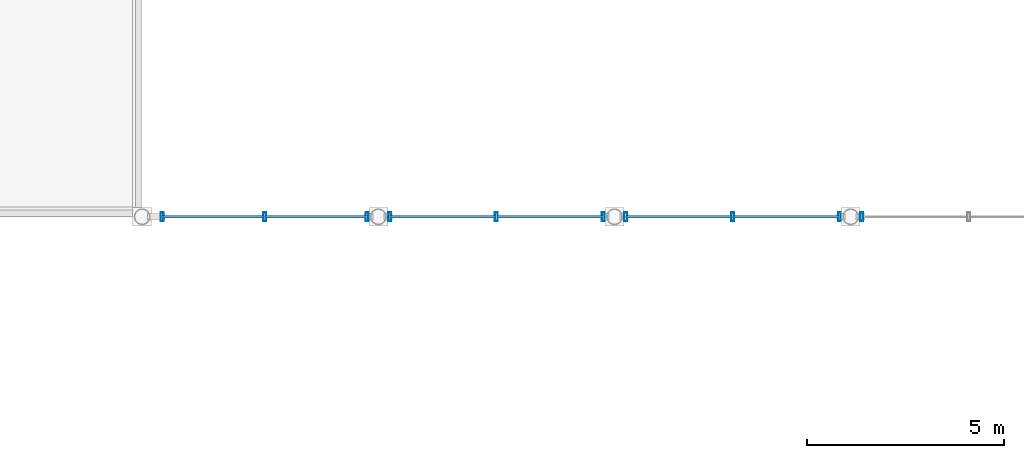
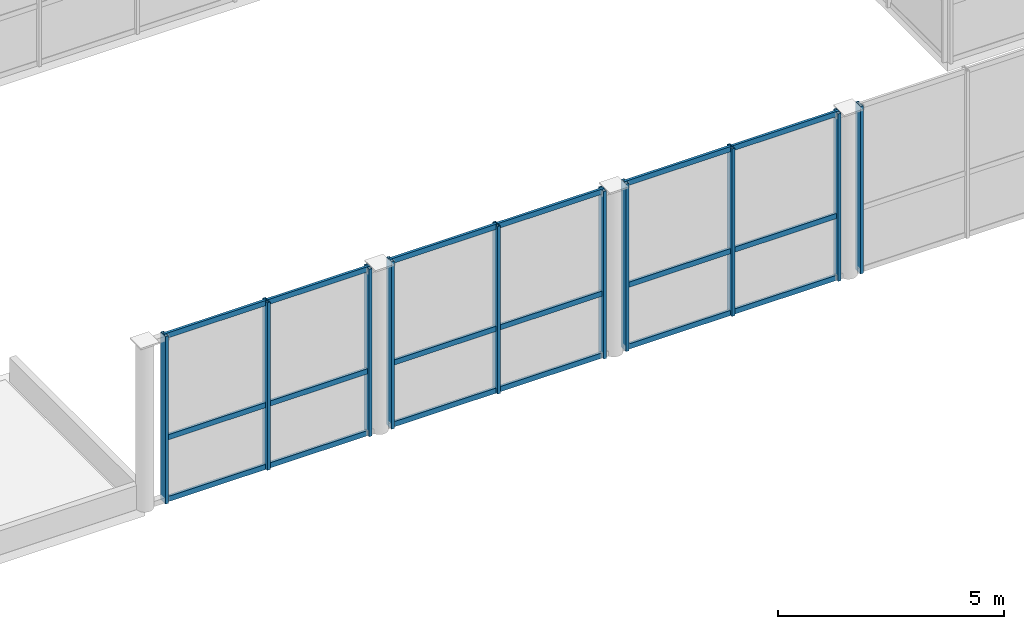
# One storey, part 23 of 133: 28 members, 4 elements without a shape of their own.
"""IFC4 building model written with IfcOpenShell, lengths in metres."""

from ifc_helpers import new_model, si_unit, direction, frame, origin, origin_2d, place, context, subcontext, project, spatial, hollow_rectangle, extrude, material, material_profile, profile_set, type_object, element, aggregate, save


model = new_model("IFC4")

# Units and contexts
model_context = context("Model", 3, precision=1e-05, world=origin(), true_north=direction((0.0, 1.0)))
body_context = subcontext(model_context, "Body", "Model", "MODEL_VIEW")
ifc_project = project(units=[si_unit("LENGTHUNIT", "METRE"), si_unit("AREAUNIT", "SQUARE_METRE"), si_unit("VOLUMEUNIT", "CUBIC_METRE"), si_unit("PLANEANGLEUNIT", "RADIAN"), si_unit("MASSUNIT", "GRAM", prefix="KILO"), si_unit("THERMODYNAMICTEMPERATUREUNIT", "KELVIN"), si_unit("POWERUNIT", "WATT")], contexts=[model_context])

# Site, building, storey
site_placement = place(None, origin())
site = spatial("IfcSite", under=ifc_project, at=site_placement, CompositionType="ELEMENT")
building_placement = place(site_placement, origin())
building = spatial("IfcBuilding", under=site, at=building_placement, Name="Phaisarnlok Congress Hotel", CompositionType="ELEMENT")
storey_placement = place(building_placement, frame((0.0, 0.0, 6.0)))
storey = spatial("IfcBuildingStorey", under=building, at=storey_placement, Name="L01", CompositionType="ELEMENT", Elevation=6.0)

# Curtain wall, members
ifc_material_1 = material(Name="Thermally Broken Unitised Aluminium & Low-E Glazing", Category="aluminium")
curtain_wall_type_1 = type_object("IfcCurtainWallType", Name="CW-UNIT-40", PredefinedType="NOTDEFINED", material=ifc_material_1)
curtain_wall_1_placement = place(storey_placement, origin())
curtain_wall_1 = element("IfcCurtainWall", 1, at=curtain_wall_1_placement, inside=storey, type_object=curtain_wall_type_1, Name="Unitised curtain wall CW-40 (L01)", PredefinedType="NOTDEFINED")
ifc_material_2 = material(Name="Anodised Aluminium Alloy 6063-T6", Category="aluminium")
ifc_material_profile_1 = material_profile(ifc_material_2, hollow_rectangle(XDim=0.074951171875, YDim=0.219970703125, WallThickness=0.0048828125, at=origin_2d()), Name="ALU-M 75x220x5")
ifc_profile_set_1 = profile_set([ifc_material_profile_1], Name="Anodised Aluminium Alloy 6063-T6")
member_type_1 = type_object("IfcMemberType", Name="CWM-220", PredefinedType="MULLION", material=ifc_profile_set_1)
member_1_placement = place(storey_placement, frame((66.5048828125, 18.0, -0.02001953125), z_axis=(0.0, 0.0, 1.0), x_axis=(1.0, 0.0, 0.0)))
member_1 = element("IfcMember", 2, at=member_1_placement, type_object=member_type_1, Name="Curtain wall mullion CWM-02", PredefinedType="MULLION", context=body_context, shape_type="SweptSolid", body=[
    extrude(hollow_rectangle(XDim=0.074951171875, YDim=0.219970703125, WallThickness=0.0048828125, at=origin_2d()), origin(), (0.0, 0.0, 1.0), 4.530029296875),
])
member_2_placement = place(storey_placement, frame((69.110107421875, 18.0, -0.02001953125), z_axis=(0.0, 0.0, 1.0), x_axis=(1.0, 0.0, 0.0)))
member_2 = element("IfcMember", 3, at=member_2_placement, type_object=member_type_1, Name="Curtain wall mullion CWM-02", PredefinedType="MULLION", context=body_context, shape_type="SweptSolid", body=[
    extrude(hollow_rectangle(XDim=0.074951171875, YDim=0.219970703125, WallThickness=0.0048828125, at=origin_2d()), origin(), (0.0, 0.0, 1.0), 4.530029296875),
])
member_3_placement = place(storey_placement, frame((71.715087890625, 18.0, -0.02001953125), z_axis=(0.0, 0.0, 1.0), x_axis=(1.0, 0.0, 0.0)))
member_3 = element("IfcMember", 4, at=member_3_placement, type_object=member_type_1, Name="Curtain wall mullion CWM-02", PredefinedType="MULLION", context=body_context, shape_type="SweptSolid", body=[
    extrude(hollow_rectangle(XDim=0.074951171875, YDim=0.219970703125, WallThickness=0.0048828125, at=origin_2d()), origin(), (0.0, 0.0, 1.0), 4.530029296875),
])

curtain_wall_type_2 = type_object("IfcCurtainWallType", Name="CW-UNIT-43", PredefinedType="NOTDEFINED", material=ifc_material_1)
curtain_wall_2_placement = place(storey_placement, origin())
curtain_wall_2 = element("IfcCurtainWall", 5, at=curtain_wall_2_placement, inside=storey, type_object=curtain_wall_type_2, Name="Unitised curtain wall CW-43 (L01)", PredefinedType="NOTDEFINED")
member_4_placement = place(storey_placement, frame((72.284912109375, 18.0, -0.02001953125), z_axis=(0.0, 0.0, 1.0), x_axis=(1.0, 0.0, 0.0)))
member_4 = element("IfcMember", 6, at=member_4_placement, type_object=member_type_1, Name="Curtain wall mullion CWM-02", PredefinedType="MULLION", context=body_context, shape_type="SweptSolid", body=[
    extrude(hollow_rectangle(XDim=0.074951171875, YDim=0.219970703125, WallThickness=0.0048828125, at=origin_2d()), origin(), (0.0, 0.0, 1.0), 4.530029296875),
])
member_5_placement = place(storey_placement, frame((75.0, 18.0, -0.02001953125), z_axis=(0.0, 0.0, 1.0), x_axis=(1.0, 0.0, 0.0)))
member_5 = element("IfcMember", 7, at=member_5_placement, type_object=member_type_1, Name="Curtain wall mullion CWM-02", PredefinedType="MULLION", context=body_context, shape_type="SweptSolid", body=[
    extrude(hollow_rectangle(XDim=0.074951171875, YDim=0.219970703125, WallThickness=0.0048828125, at=origin_2d()), origin(), (0.0, 0.0, 1.0), 4.530029296875),
])
member_6_placement = place(storey_placement, frame((77.715087890625, 18.0, -0.02001953125), z_axis=(0.0, 0.0, 1.0), x_axis=(1.0, 0.0, 0.0)))
member_6 = element("IfcMember", 8, at=member_6_placement, type_object=member_type_1, Name="Curtain wall mullion CWM-02", PredefinedType="MULLION", context=body_context, shape_type="SweptSolid", body=[
    extrude(hollow_rectangle(XDim=0.074951171875, YDim=0.219970703125, WallThickness=0.0048828125, at=origin_2d()), origin(), (0.0, 0.0, 1.0), 4.530029296875),
])

curtain_wall_3_placement = place(storey_placement, origin())
curtain_wall_3 = element("IfcCurtainWall", 9, at=curtain_wall_3_placement, inside=storey, type_object=curtain_wall_type_2, Name="Unitised curtain wall CW-43 (L01)", PredefinedType="NOTDEFINED")
member_7_placement = place(storey_placement, frame((78.284912109375, 18.0, -0.02001953125), z_axis=(0.0, 0.0, 1.0), x_axis=(1.0, 0.0, 0.0)))
member_7 = element("IfcMember", 10, at=member_7_placement, type_object=member_type_1, Name="Curtain wall mullion CWM-02", PredefinedType="MULLION", context=body_context, shape_type="SweptSolid", body=[
    extrude(hollow_rectangle(XDim=0.074951171875, YDim=0.219970703125, WallThickness=0.0048828125, at=origin_2d()), origin(), (0.0, 0.0, 1.0), 4.530029296875),
])
member_8_placement = place(storey_placement, frame((81.0, 18.0, -0.02001953125), z_axis=(0.0, 0.0, 1.0), x_axis=(1.0, 0.0, 0.0)))
member_8 = element("IfcMember", 11, at=member_8_placement, type_object=member_type_1, Name="Curtain wall mullion CWM-02", PredefinedType="MULLION", context=body_context, shape_type="SweptSolid", body=[
    extrude(hollow_rectangle(XDim=0.074951171875, YDim=0.219970703125, WallThickness=0.0048828125, at=origin_2d()), origin(), (0.0, 0.0, 1.0), 4.530029296875),
])
member_9_placement = place(storey_placement, frame((83.715087890625, 18.0, -0.02001953125), z_axis=(0.0, 0.0, 1.0), x_axis=(1.0, 0.0, 0.0)))
member_9 = element("IfcMember", 12, at=member_9_placement, type_object=member_type_1, Name="Curtain wall mullion CWM-02", PredefinedType="MULLION", context=body_context, shape_type="SweptSolid", body=[
    extrude(hollow_rectangle(XDim=0.074951171875, YDim=0.219970703125, WallThickness=0.0048828125, at=origin_2d()), origin(), (0.0, 0.0, 1.0), 4.530029296875),
])

# Curtain wall, member
curtain_wall_4_placement = place(storey_placement, origin())
curtain_wall_4 = element("IfcCurtainWall", 13, at=curtain_wall_4_placement, inside=storey, type_object=curtain_wall_type_2, Name="Unitised curtain wall CW-43 (L01)", PredefinedType="NOTDEFINED")
member_10_placement = place(storey_placement, frame((84.284912109375, 18.0, -0.02001953125), z_axis=(0.0, 0.0, 1.0), x_axis=(1.0, 0.0, 0.0)))
member_10 = element("IfcMember", 14, at=member_10_placement, type_object=member_type_1, Name="Curtain wall mullion CWM-02", PredefinedType="MULLION", context=body_context, shape_type="SweptSolid", body=[
    extrude(hollow_rectangle(XDim=0.074951171875, YDim=0.219970703125, WallThickness=0.0048828125, at=origin_2d()), origin(), (0.0, 0.0, 1.0), 4.530029296875),
])
aggregate(curtain_wall_4, [member_10])

# Member
ifc_material_profile_2 = material_profile(ifc_material_2, hollow_rectangle(XDim=0.06494140625, YDim=0.139892578125, WallThickness=0.00390625, at=origin_2d()), Name="ALU-T 65x140x4")
ifc_profile_set_2 = profile_set([ifc_material_profile_2], Name="Anodised Aluminium Alloy 6063-T6")
member_type_2 = type_object("IfcMemberType", Name="CWT-150", PredefinedType="USERDEFINED", material=ifc_profile_set_2)
member_11_placement = place(storey_placement, frame((66.47998046875, 18.0, 0.030029296875), z_axis=(1.0, 0.0, 0.0), x_axis=(0.0, 1.0, 0.0)))
member_11 = element("IfcMember", 15, at=member_11_placement, type_object=member_type_2, Name="Curtain wall transom CWT-01", ObjectType="TRANSOM", PredefinedType="USERDEFINED", context=body_context, shape_type="SweptSolid", body=[
    extrude(hollow_rectangle(XDim=0.06494140625, YDim=0.139892578125, WallThickness=0.00390625, at=origin_2d()), origin(), (0.0, 0.0, 1.0), 2.614990234375),
])

member_12_placement = place(storey_placement, frame((66.47998046875, 18.0, 1.701416015625), z_axis=(1.0, 0.0, 0.0), x_axis=(0.0, 1.0, 0.0)))
member_12 = element("IfcMember", 16, at=member_12_placement, type_object=member_type_2, Name="Curtain wall transom CWT-01", ObjectType="TRANSOM", PredefinedType="USERDEFINED", context=body_context, shape_type="SweptSolid", body=[
    extrude(hollow_rectangle(XDim=0.06494140625, YDim=0.139892578125, WallThickness=0.00390625, at=origin_2d()), origin(), (0.0, 0.0, 1.0), 2.614990234375),
])

member_13_placement = place(storey_placement, frame((66.47998046875, 18.0, 4.4599609375), z_axis=(1.0, 0.0, 0.0), x_axis=(0.0, 1.0, 0.0)))
member_13 = element("IfcMember", 17, at=member_13_placement, type_object=member_type_2, Name="Curtain wall transom CWT-01", ObjectType="TRANSOM", PredefinedType="USERDEFINED", context=body_context, shape_type="SweptSolid", body=[
    extrude(hollow_rectangle(XDim=0.06494140625, YDim=0.139892578125, WallThickness=0.00390625, at=origin_2d()), origin(), (0.0, 0.0, 1.0), 2.614990234375),
])

member_14_placement = place(storey_placement, frame((69.125, 18.0, 0.030029296875), z_axis=(1.0, 0.0, 0.0), x_axis=(0.0, 1.0, 0.0)))
member_14 = element("IfcMember", 18, at=member_14_placement, type_object=member_type_2, Name="Curtain wall transom CWT-01", ObjectType="TRANSOM", PredefinedType="USERDEFINED", context=body_context, shape_type="SweptSolid", body=[
    extrude(hollow_rectangle(XDim=0.06494140625, YDim=0.139892578125, WallThickness=0.00390625, at=origin_2d()), origin(), (0.0, 0.0, 1.0), 2.614990234375),
])

member_15_placement = place(storey_placement, frame((69.125, 18.0, 1.701416015625), z_axis=(1.0, 0.0, 0.0), x_axis=(0.0, 1.0, 0.0)))
member_15 = element("IfcMember", 19, at=member_15_placement, type_object=member_type_2, Name="Curtain wall transom CWT-01", ObjectType="TRANSOM", PredefinedType="USERDEFINED", context=body_context, shape_type="SweptSolid", body=[
    extrude(hollow_rectangle(XDim=0.06494140625, YDim=0.139892578125, WallThickness=0.00390625, at=origin_2d()), origin(), (0.0, 0.0, 1.0), 2.614990234375),
])

member_16_placement = place(storey_placement, frame((69.125, 18.0, 4.4599609375), z_axis=(1.0, 0.0, 0.0), x_axis=(0.0, 1.0, 0.0)))
member_16 = element("IfcMember", 20, at=member_16_placement, type_object=member_type_2, Name="Curtain wall transom CWT-01", ObjectType="TRANSOM", PredefinedType="USERDEFINED", context=body_context, shape_type="SweptSolid", body=[
    extrude(hollow_rectangle(XDim=0.06494140625, YDim=0.139892578125, WallThickness=0.00390625, at=origin_2d()), origin(), (0.0, 0.0, 1.0), 2.614990234375),
])

aggregate(curtain_wall_1, [member_1, member_2, member_3, member_11, member_12, member_13, member_14, member_15, member_16])

member_17_placement = place(storey_placement, frame((72.260009765625, 18.0, 0.030029296875), z_axis=(1.0, 0.0, 0.0), x_axis=(0.0, 1.0, 0.0)))
member_17 = element("IfcMember", 21, at=member_17_placement, type_object=member_type_2, Name="Curtain wall transom CWT-01", ObjectType="TRANSOM", PredefinedType="USERDEFINED", context=body_context, shape_type="SweptSolid", body=[
    extrude(hollow_rectangle(XDim=0.06494140625, YDim=0.139892578125, WallThickness=0.00390625, at=origin_2d()), origin(), (0.0, 0.0, 1.0), 2.72509765625),
])

member_18_placement = place(storey_placement, frame((72.260009765625, 18.0, 1.701416015625), z_axis=(1.0, 0.0, 0.0), x_axis=(0.0, 1.0, 0.0)))
member_18 = element("IfcMember", 22, at=member_18_placement, type_object=member_type_2, Name="Curtain wall transom CWT-01", ObjectType="TRANSOM", PredefinedType="USERDEFINED", context=body_context, shape_type="SweptSolid", body=[
    extrude(hollow_rectangle(XDim=0.06494140625, YDim=0.139892578125, WallThickness=0.00390625, at=origin_2d()), origin(), (0.0, 0.0, 1.0), 2.72509765625),
])

member_19_placement = place(storey_placement, frame((72.260009765625, 18.0, 4.4599609375), z_axis=(1.0, 0.0, 0.0), x_axis=(0.0, 1.0, 0.0)))
member_19 = element("IfcMember", 23, at=member_19_placement, type_object=member_type_2, Name="Curtain wall transom CWT-01", ObjectType="TRANSOM", PredefinedType="USERDEFINED", context=body_context, shape_type="SweptSolid", body=[
    extrude(hollow_rectangle(XDim=0.06494140625, YDim=0.139892578125, WallThickness=0.00390625, at=origin_2d()), origin(), (0.0, 0.0, 1.0), 2.72509765625),
])

member_20_placement = place(storey_placement, frame((75.014892578125, 18.0, 0.030029296875), z_axis=(1.0, 0.0, 0.0), x_axis=(0.0, 1.0, 0.0)))
member_20 = element("IfcMember", 24, at=member_20_placement, type_object=member_type_2, Name="Curtain wall transom CWT-01", ObjectType="TRANSOM", PredefinedType="USERDEFINED", context=body_context, shape_type="SweptSolid", body=[
    extrude(hollow_rectangle(XDim=0.06494140625, YDim=0.139892578125, WallThickness=0.00390625, at=origin_2d()), origin(), (0.0, 0.0, 1.0), 2.72509765625),
])

member_21_placement = place(storey_placement, frame((75.014892578125, 18.0, 1.701416015625), z_axis=(1.0, 0.0, 0.0), x_axis=(0.0, 1.0, 0.0)))
member_21 = element("IfcMember", 25, at=member_21_placement, type_object=member_type_2, Name="Curtain wall transom CWT-01", ObjectType="TRANSOM", PredefinedType="USERDEFINED", context=body_context, shape_type="SweptSolid", body=[
    extrude(hollow_rectangle(XDim=0.06494140625, YDim=0.139892578125, WallThickness=0.00390625, at=origin_2d()), origin(), (0.0, 0.0, 1.0), 2.72509765625),
])

member_22_placement = place(storey_placement, frame((75.014892578125, 18.0, 4.4599609375), z_axis=(1.0, 0.0, 0.0), x_axis=(0.0, 1.0, 0.0)))
member_22 = element("IfcMember", 26, at=member_22_placement, type_object=member_type_2, Name="Curtain wall transom CWT-01", ObjectType="TRANSOM", PredefinedType="USERDEFINED", context=body_context, shape_type="SweptSolid", body=[
    extrude(hollow_rectangle(XDim=0.06494140625, YDim=0.139892578125, WallThickness=0.00390625, at=origin_2d()), origin(), (0.0, 0.0, 1.0), 2.72509765625),
])

aggregate(curtain_wall_2, [member_4, member_5, member_6, member_17, member_18, member_19, member_20, member_21, member_22])

member_23_placement = place(storey_placement, frame((78.260009765625, 18.0, 0.030029296875), z_axis=(1.0, 0.0, 0.0), x_axis=(0.0, 1.0, 0.0)))
member_23 = element("IfcMember", 27, at=member_23_placement, type_object=member_type_2, Name="Curtain wall transom CWT-01", ObjectType="TRANSOM", PredefinedType="USERDEFINED", context=body_context, shape_type="SweptSolid", body=[
    extrude(hollow_rectangle(XDim=0.06494140625, YDim=0.139892578125, WallThickness=0.00390625, at=origin_2d()), origin(), (0.0, 0.0, 1.0), 2.72509765625),
])

member_24_placement = place(storey_placement, frame((78.260009765625, 18.0, 1.701416015625), z_axis=(1.0, 0.0, 0.0), x_axis=(0.0, 1.0, 0.0)))
member_24 = element("IfcMember", 28, at=member_24_placement, type_object=member_type_2, Name="Curtain wall transom CWT-01", ObjectType="TRANSOM", PredefinedType="USERDEFINED", context=body_context, shape_type="SweptSolid", body=[
    extrude(hollow_rectangle(XDim=0.06494140625, YDim=0.139892578125, WallThickness=0.00390625, at=origin_2d()), origin(), (0.0, 0.0, 1.0), 2.72509765625),
])

member_25_placement = place(storey_placement, frame((78.260009765625, 18.0, 4.4599609375), z_axis=(1.0, 0.0, 0.0), x_axis=(0.0, 1.0, 0.0)))
member_25 = element("IfcMember", 29, at=member_25_placement, type_object=member_type_2, Name="Curtain wall transom CWT-01", ObjectType="TRANSOM", PredefinedType="USERDEFINED", context=body_context, shape_type="SweptSolid", body=[
    extrude(hollow_rectangle(XDim=0.06494140625, YDim=0.139892578125, WallThickness=0.00390625, at=origin_2d()), origin(), (0.0, 0.0, 1.0), 2.72509765625),
])

member_26_placement = place(storey_placement, frame((81.014892578125, 18.0, 0.030029296875), z_axis=(1.0, 0.0, 0.0), x_axis=(0.0, 1.0, 0.0)))
member_26 = element("IfcMember", 30, at=member_26_placement, type_object=member_type_2, Name="Curtain wall transom CWT-01", ObjectType="TRANSOM", PredefinedType="USERDEFINED", context=body_context, shape_type="SweptSolid", body=[
    extrude(hollow_rectangle(XDim=0.06494140625, YDim=0.139892578125, WallThickness=0.00390625, at=origin_2d()), origin(), (0.0, 0.0, 1.0), 2.72509765625),
])

member_27_placement = place(storey_placement, frame((81.014892578125, 18.0, 1.701416015625), z_axis=(1.0, 0.0, 0.0), x_axis=(0.0, 1.0, 0.0)))
member_27 = element("IfcMember", 31, at=member_27_placement, type_object=member_type_2, Name="Curtain wall transom CWT-01", ObjectType="TRANSOM", PredefinedType="USERDEFINED", context=body_context, shape_type="SweptSolid", body=[
    extrude(hollow_rectangle(XDim=0.06494140625, YDim=0.139892578125, WallThickness=0.00390625, at=origin_2d()), origin(), (0.0, 0.0, 1.0), 2.72509765625),
])

member_28_placement = place(storey_placement, frame((81.014892578125, 18.0, 4.4599609375), z_axis=(1.0, 0.0, 0.0), x_axis=(0.0, 1.0, 0.0)))
member_28 = element("IfcMember", 32, at=member_28_placement, type_object=member_type_2, Name="Curtain wall transom CWT-01", ObjectType="TRANSOM", PredefinedType="USERDEFINED", context=body_context, shape_type="SweptSolid", body=[
    extrude(hollow_rectangle(XDim=0.06494140625, YDim=0.139892578125, WallThickness=0.00390625, at=origin_2d()), origin(), (0.0, 0.0, 1.0), 2.72509765625),
])

aggregate(curtain_wall_3, [member_7, member_8, member_9, member_23, member_24, member_25, member_26, member_27, member_28])

save(model, "model.ifc")
